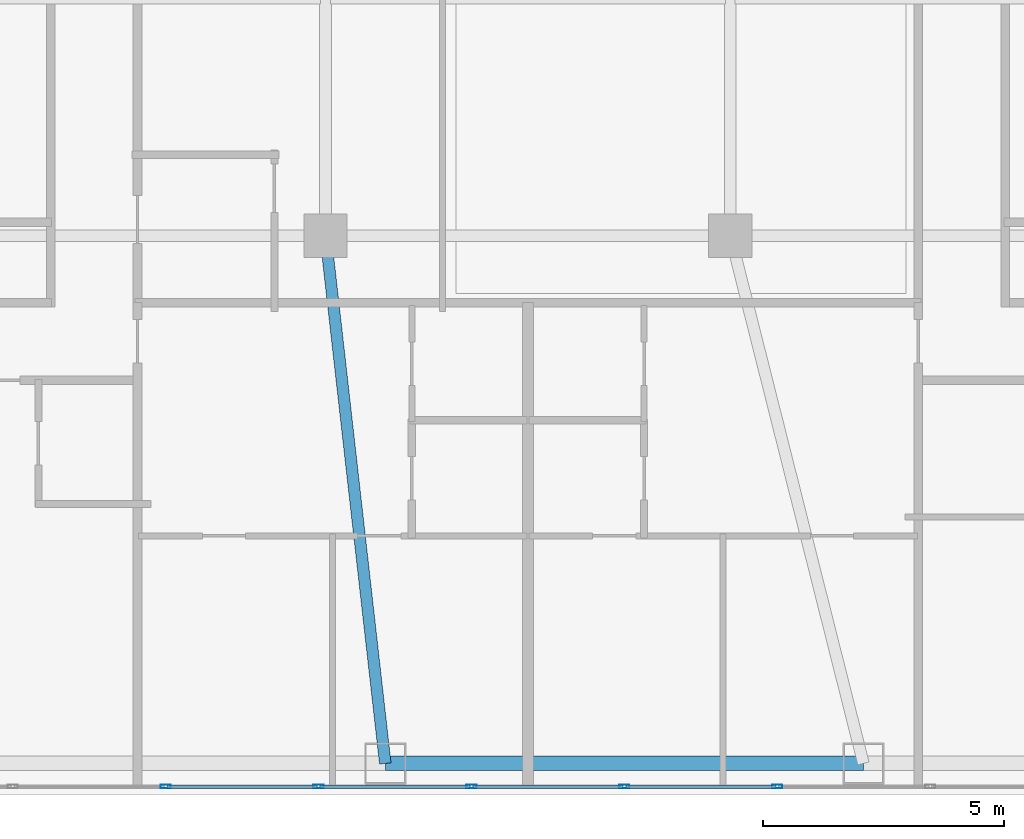
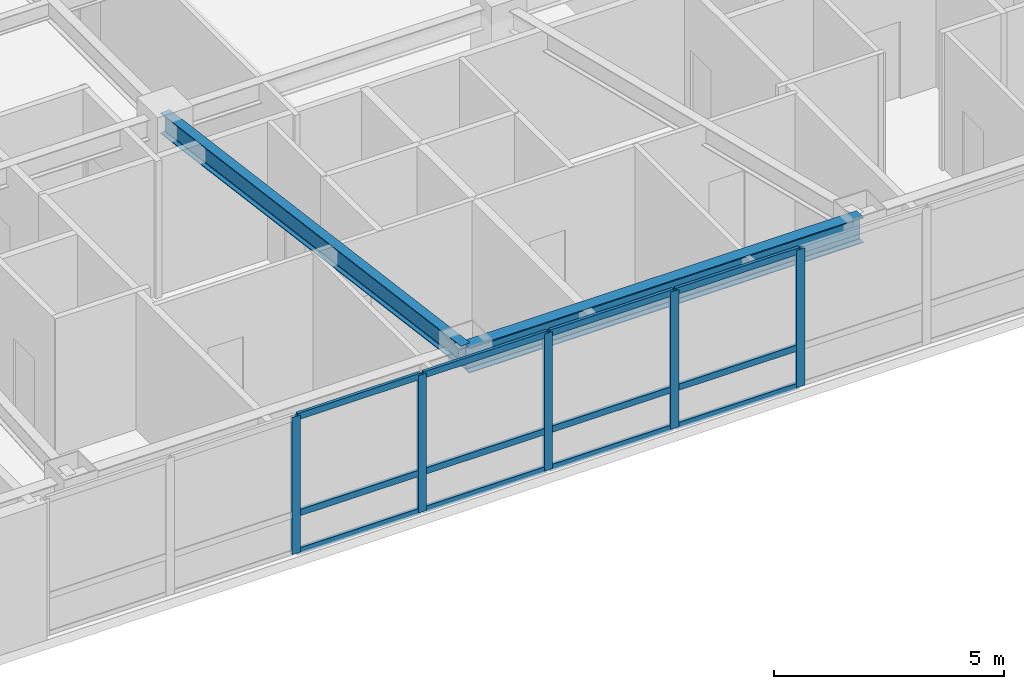
# One storey, part 4 of 16: 17 members, 2 beams, 1 element without a shape of its own.
"""IFC4 building model written with IfcOpenShell, lengths in metres."""

from ifc_helpers import new_model, si_unit, direction, frame, origin, origin_2d, place, context, subcontext, project, spatial, hollow_rectangle, i_section, extrude, material, layer, layer_set, material_profile, profile_set, type_object, element, aggregate, save


model = new_model("IFC4")

# Units and contexts
model_context = context("Model", 3, precision=1e-05, world=origin(), true_north=direction((0.0, 1.0)))
body_context = subcontext(model_context, "Body", "Model", "MODEL_VIEW")
ifc_project = project(units=[si_unit("LENGTHUNIT", "METRE"), si_unit("AREAUNIT", "SQUARE_METRE"), si_unit("VOLUMEUNIT", "CUBIC_METRE"), si_unit("PLANEANGLEUNIT", "RADIAN"), si_unit("MASSUNIT", "GRAM", prefix="KILO")], contexts=[model_context])

# Site, building, storey
site_placement = place(None, origin())
site = spatial("IfcSite", under=ifc_project, at=site_placement, CompositionType="ELEMENT")
building_placement = place(site_placement, origin())
building = spatial("IfcBuilding", under=site, at=building_placement, Name="Voryun Gate Residences", CompositionType="ELEMENT")
storey_placement = place(building_placement, frame((0.0, 0.0, 208.0)))
storey = spatial("IfcBuildingStorey", under=building, at=storey_placement, Name="L51", CompositionType="ELEMENT", Elevation=208.0)

# Beams
ifc_material_1 = material(Name="Steel SM355", Category="steel")
ifc_material_profile_1 = material_profile(ifc_material_1, i_section(OverallWidth=0.300048828125, OverallDepth=0.679931640625, WebThickness=0.013916015625, FlangeThickness=0.02490234375, FilletRadius=0.01806640625, at=origin_2d()), Name="H-680x300x14x25")
ifc_profile_set_1 = profile_set([ifc_material_profile_1], Name="Steel SM355")
beam_type_1 = type_object("IfcBeamType", Name="BM_EXO_SPANDREL_M", PredefinedType="SPANDREL", material=ifc_profile_set_1)
beam_1_placement = place(storey_placement, frame((-2.9599609375, -18.35009765625, 3.31005859375), z_axis=(1.0, 0.0, 0.0), x_axis=(0.0, 1.0, 0.0)))
element("IfcBeam", 1, at=beam_1_placement, inside=storey, type_object=beam_type_1, Name="BM-L51-SPAND-03", PredefinedType="SPANDREL", context=body_context, shape_type="SweptSolid", body=[
    extrude(i_section(OverallWidth=0.300048828125, OverallDepth=0.679931640625, WebThickness=0.013916015625, FlangeThickness=0.02490234375, FilletRadius=0.01806640625, at=origin_2d()), origin(), (0.0, 0.0, 1.0), 9.919921875),
])
ifc_material_2 = material(Name="Steel SM355", Category="steel")
ifc_material_profile_2 = material_profile(ifc_material_2, i_section(OverallWidth=0.239990234375, OverallDepth=0.550048828125, WebThickness=0.011962890625, FlangeThickness=0.02001953125, FilletRadius=0.01806640625, at=origin_2d()), Name="H-550x240x12x20")
ifc_profile_set_2 = profile_set([ifc_material_profile_2], Name="Steel SM355")
beam_type_2 = type_object("IfcBeamType", Name="BM_GIRD_550", PredefinedType="USERDEFINED", material=ifc_profile_set_2)
beam_2_placement = place(storey_placement, frame((-4.199951171875, -7.39990234375, 3.375), z_axis=(0.112519968476, -0.993649463691, 0.0), x_axis=(0.993649463691, 0.112519968476, 0.0)))
element("IfcBeam", 2, at=beam_2_placement, inside=storey, type_object=beam_type_2, Name="BM-L51-RAD-S3", ObjectType="GIRDER", PredefinedType="USERDEFINED", context=body_context, shape_type="SweptSolid", body=[
    extrude(i_section(OverallWidth=0.239990234375, OverallDepth=0.550048828125, WebThickness=0.011962890625, FlangeThickness=0.02001953125, FilletRadius=0.01806640625, at=origin_2d()), origin(), (0.0, 0.0, 1.0), 11.020263671875),
])

# Curtain wall, members
ifc_material_3 = material(Name="Anodised aluminium", Category="aluminium")
ifc_layer = layer(ifc_material_3, 0.2099609375, Name="CW_SYS_SKYGARDEN_DARK_GLASS")
ifc_layer_set = layer_set([ifc_layer], Name="Anodised aluminium")
curtain_wall_type = type_object("IfcCurtainWallType", Name="CW_SYS_SKYGARDEN_DARK_GLASS", PredefinedType="NOTDEFINED", material=ifc_layer_set)
curtain_wall_placement = place(storey_placement, origin())
curtain_wall = element("IfcCurtainWall", 3, at=curtain_wall_placement, inside=storey, type_object=curtain_wall_type, Name="Curtain wall CW5-L51-SG-01", PredefinedType="NOTDEFINED")
ifc_material_4 = material(Name="Anodised aluminium", Category="aluminium")
ifc_material_profile_3 = material_profile(ifc_material_4, hollow_rectangle(XDim=0.074951171875, YDim=0.2099609375, WallThickness=0.0048828125, at=origin_2d()), Name="ALU-MULL-210x75x5")
ifc_profile_set_3 = profile_set([ifc_material_profile_3], Name="Anodised aluminium")
member_type_1 = type_object("IfcMemberType", Name="CW_MULL_SKY", PredefinedType="MULLION", material=ifc_profile_set_3)
member_1_placement = place(storey_placement, frame((5.17236328125, -18.830078125, 0.0), z_axis=(0.0, 0.0, 1.0), x_axis=(0.0, -1.0, 0.0)))
member_1 = element("IfcMember", 4, at=member_1_placement, type_object=member_type_1, Name="CW5 mullion 5", PredefinedType="MULLION", context=body_context, shape_type="SweptSolid", body=[
    extrude(hollow_rectangle(XDim=0.074951171875, YDim=0.2099609375, WallThickness=0.0048828125, at=origin_2d()), origin(), (0.0, 0.0, 1.0), 3.64990234375),
])
member_2_placement = place(storey_placement, frame((2.0, -18.830078125, 0.0), z_axis=(0.0, 0.0, 1.0), x_axis=(0.0, -1.0, 0.0)))
member_2 = element("IfcMember", 5, at=member_2_placement, type_object=member_type_1, Name="CW5 mullion 6", PredefinedType="MULLION", context=body_context, shape_type="SweptSolid", body=[
    extrude(hollow_rectangle(XDim=0.074951171875, YDim=0.2099609375, WallThickness=0.0048828125, at=origin_2d()), origin(), (0.0, 0.0, 1.0), 3.64990234375),
])
member_3_placement = place(storey_placement, frame((-1.17236328125, -18.830078125, 0.0), z_axis=(0.0, 0.0, 1.0), x_axis=(0.0, -1.0, 0.0)))
member_3 = element("IfcMember", 6, at=member_3_placement, type_object=member_type_1, Name="CW5 mullion 7", PredefinedType="MULLION", context=body_context, shape_type="SweptSolid", body=[
    extrude(hollow_rectangle(XDim=0.074951171875, YDim=0.2099609375, WallThickness=0.0048828125, at=origin_2d()), origin(), (0.0, 0.0, 1.0), 3.64990234375),
])
member_4_placement = place(storey_placement, frame((-4.344482421875, -18.830078125, 0.0), z_axis=(0.0, 0.0, 1.0), x_axis=(0.0, -1.0, 0.0)))
member_4 = element("IfcMember", 7, at=member_4_placement, type_object=member_type_1, Name="CW5 mullion 8", PredefinedType="MULLION", context=body_context, shape_type="SweptSolid", body=[
    extrude(hollow_rectangle(XDim=0.074951171875, YDim=0.2099609375, WallThickness=0.0048828125, at=origin_2d()), origin(), (0.0, 0.0, 1.0), 3.64990234375),
])
member_5_placement = place(storey_placement, frame((-7.516845703125, -18.830078125, 0.0), z_axis=(0.0, 0.0, 1.0), x_axis=(0.0, -1.0, 0.0)))
member_5 = element("IfcMember", 8, at=member_5_placement, type_object=member_type_1, Name="CW5 mullion 9", PredefinedType="MULLION", context=body_context, shape_type="SweptSolid", body=[
    extrude(hollow_rectangle(XDim=0.074951171875, YDim=0.2099609375, WallThickness=0.0048828125, at=origin_2d()), origin(), (0.0, 0.0, 1.0), 3.64990234375),
])
ifc_material_5 = material(Name="Anodised aluminium", Category="aluminium")
ifc_material_profile_4 = material_profile(ifc_material_5, hollow_rectangle(XDim=0.074951171875, YDim=0.169921875, WallThickness=0.0048828125, at=origin_2d()), Name="ALU-TRAN-170x75x5")
ifc_profile_set_4 = profile_set([ifc_material_profile_4], Name="Anodised aluminium")
member_type_2 = type_object("IfcMemberType", Name="CW_TRAN_SKY", PredefinedType="USERDEFINED", material=ifc_profile_set_4)
member_6_placement = place(storey_placement, frame((5.142333984375, -18.830078125, 0.030029296875), z_axis=(-1.0, 0.0, 0.0), x_axis=(0.0, -1.0, 0.0)))
member_6 = element("IfcMember", 9, at=member_6_placement, type_object=member_type_2, Name="CW5 transom 5.1", ObjectType="TRANSOM", PredefinedType="USERDEFINED", context=body_context, shape_type="SweptSolid", body=[
    extrude(hollow_rectangle(XDim=0.074951171875, YDim=0.169921875, WallThickness=0.0048828125, at=origin_2d()), origin(), (0.0, 0.0, 1.0), 3.1123046875),
])
member_7_placement = place(storey_placement, frame((5.142333984375, -18.830078125, 1.050048828125), z_axis=(-1.0, 0.0, 0.0), x_axis=(0.0, -1.0, 0.0)))
member_7 = element("IfcMember", 10, at=member_7_placement, type_object=member_type_2, Name="CW5 transom 5.2", ObjectType="TRANSOM", PredefinedType="USERDEFINED", context=body_context, shape_type="SweptSolid", body=[
    extrude(hollow_rectangle(XDim=0.074951171875, YDim=0.169921875, WallThickness=0.0048828125, at=origin_2d()), origin(), (0.0, 0.0, 1.0), 3.1123046875),
])
member_8_placement = place(storey_placement, frame((5.142333984375, -18.830078125, 3.6201171875), z_axis=(-1.0, 0.0, 0.0), x_axis=(0.0, -1.0, 0.0)))
member_8 = element("IfcMember", 11, at=member_8_placement, type_object=member_type_2, Name="CW5 transom 5.3", ObjectType="TRANSOM", PredefinedType="USERDEFINED", context=body_context, shape_type="SweptSolid", body=[
    extrude(hollow_rectangle(XDim=0.074951171875, YDim=0.169921875, WallThickness=0.0048828125, at=origin_2d()), origin(), (0.0, 0.0, 1.0), 3.1123046875),
])
member_9_placement = place(storey_placement, frame((1.969970703125, -18.830078125, 0.030029296875), z_axis=(-1.0, 0.0, 0.0), x_axis=(0.0, -1.0, 0.0)))
member_9 = element("IfcMember", 12, at=member_9_placement, type_object=member_type_2, Name="CW5 transom 6.1", ObjectType="TRANSOM", PredefinedType="USERDEFINED", context=body_context, shape_type="SweptSolid", body=[
    extrude(hollow_rectangle(XDim=0.074951171875, YDim=0.169921875, WallThickness=0.0048828125, at=origin_2d()), origin(), (0.0, 0.0, 1.0), 3.1123046875),
])
member_10_placement = place(storey_placement, frame((1.969970703125, -18.830078125, 1.050048828125), z_axis=(-1.0, 0.0, 0.0), x_axis=(0.0, -1.0, 0.0)))
member_10 = element("IfcMember", 13, at=member_10_placement, type_object=member_type_2, Name="CW5 transom 6.2", ObjectType="TRANSOM", PredefinedType="USERDEFINED", context=body_context, shape_type="SweptSolid", body=[
    extrude(hollow_rectangle(XDim=0.074951171875, YDim=0.169921875, WallThickness=0.0048828125, at=origin_2d()), origin(), (0.0, 0.0, 1.0), 3.1123046875),
])
member_11_placement = place(storey_placement, frame((1.969970703125, -18.830078125, 3.6201171875), z_axis=(-1.0, 0.0, 0.0), x_axis=(0.0, -1.0, 0.0)))
member_11 = element("IfcMember", 14, at=member_11_placement, type_object=member_type_2, Name="CW5 transom 6.3", ObjectType="TRANSOM", PredefinedType="USERDEFINED", context=body_context, shape_type="SweptSolid", body=[
    extrude(hollow_rectangle(XDim=0.074951171875, YDim=0.169921875, WallThickness=0.0048828125, at=origin_2d()), origin(), (0.0, 0.0, 1.0), 3.1123046875),
])
member_12_placement = place(storey_placement, frame((-1.2021484375, -18.830078125, 0.030029296875), z_axis=(-1.0, 0.0, 0.0), x_axis=(0.0, -1.0, 0.0)))
member_12 = element("IfcMember", 15, at=member_12_placement, type_object=member_type_2, Name="CW5 transom 7.1", ObjectType="TRANSOM", PredefinedType="USERDEFINED", context=body_context, shape_type="SweptSolid", body=[
    extrude(hollow_rectangle(XDim=0.074951171875, YDim=0.169921875, WallThickness=0.0048828125, at=origin_2d()), origin(), (0.0, 0.0, 1.0), 3.1123046875),
])
member_13_placement = place(storey_placement, frame((-1.2021484375, -18.830078125, 1.050048828125), z_axis=(-1.0, 0.0, 0.0), x_axis=(0.0, -1.0, 0.0)))
member_13 = element("IfcMember", 16, at=member_13_placement, type_object=member_type_2, Name="CW5 transom 7.2", ObjectType="TRANSOM", PredefinedType="USERDEFINED", context=body_context, shape_type="SweptSolid", body=[
    extrude(hollow_rectangle(XDim=0.074951171875, YDim=0.169921875, WallThickness=0.0048828125, at=origin_2d()), origin(), (0.0, 0.0, 1.0), 3.1123046875),
])
member_14_placement = place(storey_placement, frame((-1.2021484375, -18.830078125, 3.6201171875), z_axis=(-1.0, 0.0, 0.0), x_axis=(0.0, -1.0, 0.0)))
member_14 = element("IfcMember", 17, at=member_14_placement, type_object=member_type_2, Name="CW5 transom 7.3", ObjectType="TRANSOM", PredefinedType="USERDEFINED", context=body_context, shape_type="SweptSolid", body=[
    extrude(hollow_rectangle(XDim=0.074951171875, YDim=0.169921875, WallThickness=0.0048828125, at=origin_2d()), origin(), (0.0, 0.0, 1.0), 3.1123046875),
])
member_15_placement = place(storey_placement, frame((-4.37451171875, -18.830078125, 0.030029296875), z_axis=(-1.0, 0.0, 0.0), x_axis=(0.0, -1.0, 0.0)))
member_15 = element("IfcMember", 18, at=member_15_placement, type_object=member_type_2, Name="CW5 transom 8.1", ObjectType="TRANSOM", PredefinedType="USERDEFINED", context=body_context, shape_type="SweptSolid", body=[
    extrude(hollow_rectangle(XDim=0.074951171875, YDim=0.169921875, WallThickness=0.0048828125, at=origin_2d()), origin(), (0.0, 0.0, 1.0), 3.1123046875),
])
member_16_placement = place(storey_placement, frame((-4.37451171875, -18.830078125, 1.050048828125), z_axis=(-1.0, 0.0, 0.0), x_axis=(0.0, -1.0, 0.0)))
member_16 = element("IfcMember", 19, at=member_16_placement, type_object=member_type_2, Name="CW5 transom 8.2", ObjectType="TRANSOM", PredefinedType="USERDEFINED", context=body_context, shape_type="SweptSolid", body=[
    extrude(hollow_rectangle(XDim=0.074951171875, YDim=0.169921875, WallThickness=0.0048828125, at=origin_2d()), origin(), (0.0, 0.0, 1.0), 3.1123046875),
])
member_17_placement = place(storey_placement, frame((-4.37451171875, -18.830078125, 3.6201171875), z_axis=(-1.0, 0.0, 0.0), x_axis=(0.0, -1.0, 0.0)))
member_17 = element("IfcMember", 20, at=member_17_placement, type_object=member_type_2, Name="CW5 transom 8.3", ObjectType="TRANSOM", PredefinedType="USERDEFINED", context=body_context, shape_type="SweptSolid", body=[
    extrude(hollow_rectangle(XDim=0.074951171875, YDim=0.169921875, WallThickness=0.0048828125, at=origin_2d()), origin(), (0.0, 0.0, 1.0), 3.1123046875),
])
aggregate(curtain_wall, [member_1, member_2, member_3, member_4, member_5, member_6, member_7, member_8, member_9, member_10, member_11, member_12, member_13, member_14, member_15, member_16, member_17])

save(model, "model.ifc")
